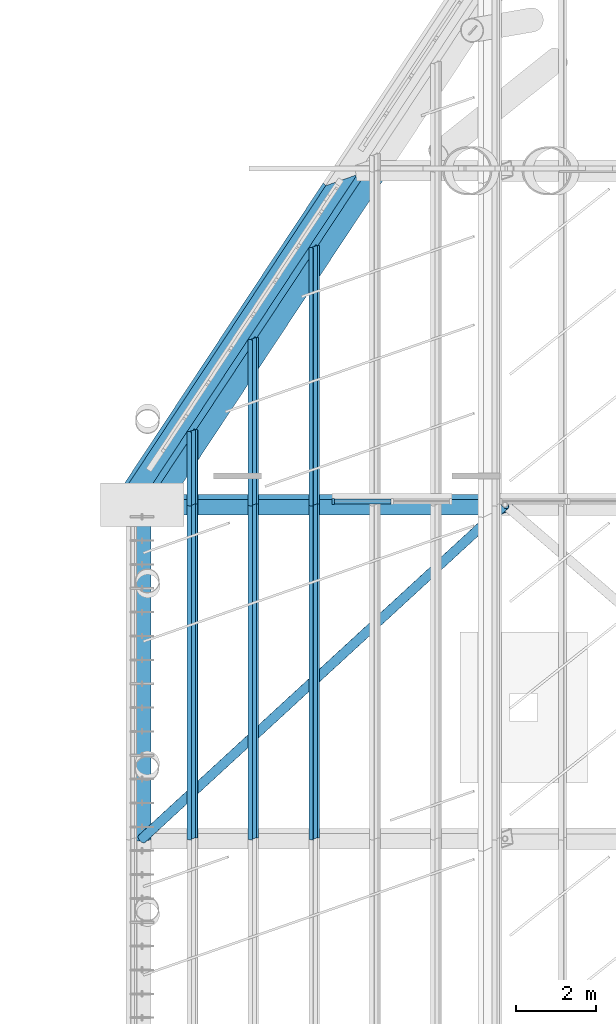
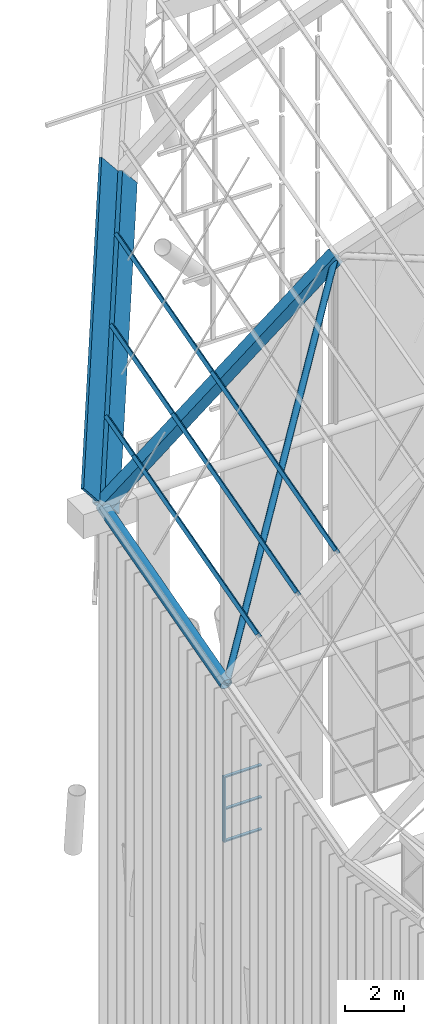
# One storey, part 51 of 126: 12 members, 3 beams, 1 element without a shape of its own.
"""IFC4 building model written with IfcOpenShell, lengths in metres."""

from ifc_helpers import new_model, si_unit, direction, frame, origin, origin_2d, place, context, subcontext, project, spatial, polyline, rectangle, hollow_circle, i_section, outline, extrude, material, material_profile, profile_set, type_object, element, aggregate, save


model = new_model("IFC4")

# Units and contexts
model_context = context("Model", 3, precision=1e-05, world=origin(), true_north=direction((0.0, 1.0)))
body_context = subcontext(model_context, "Body", "Model", "MODEL_VIEW")
ifc_project = project(units=[si_unit("LENGTHUNIT", "METRE"), si_unit("AREAUNIT", "SQUARE_METRE"), si_unit("VOLUMEUNIT", "CUBIC_METRE"), si_unit("PLANEANGLEUNIT", "RADIAN"), si_unit("MASSUNIT", "GRAM", prefix="KILO")], contexts=[model_context])

# Site, building, storey
site_placement = place(None, origin())
site = spatial("IfcSite", under=ifc_project, at=site_placement, CompositionType="ELEMENT")
building_placement = place(site_placement, origin())
building = spatial("IfcBuilding", under=site, at=building_placement, Name="Sava Quay Ferry Terminal", CompositionType="ELEMENT")
storey_placement = place(building_placement, frame((0.0, 0.0, 15.0)))
storey = spatial("IfcBuildingStorey", under=building, at=storey_placement, Name="L03", CompositionType="ELEMENT", Elevation=15.0)

# Beams
ifc_material_1 = material(Name="Steel S355", Category="steel")
ifc_material_profile_1 = material_profile(ifc_material_1, outline(polyline([(-0.199951171875, -0.300048828125), (0.199951171875, -0.300048828125), (0.199951171875, 0.300048828125), (-0.199951171875, 0.300048828125), (-0.199951171875, -0.300048828125)]), holes=[polyline([(-0.175048828125, -0.27490234375), (-0.175048828125, 0.27490234375), (0.175048828125, 0.27490234375), (0.175048828125, -0.27490234375), (-0.175048828125, -0.27490234375)])]), Name="Box 600x400x25 built-up")
ifc_profile_set_1 = profile_set([ifc_material_profile_1], Name="Steel S355")
beam_type_1 = type_object("IfcBeamType", Name="D folded rib Box 600x400x25", PredefinedType="BEAM", material=ifc_profile_set_1)
beam_1_placement = place(storey_placement, frame((42.0, 100.800048828125, 15.625), z_axis=(0.788010316968, 0.0, 0.615662034198), x_axis=(-0.129742161592, 0.977543008469, 0.166062151312)))
element("IfcBeam", 1, at=beam_1_placement, inside=storey, type_object=beam_type_1, Name="Departure hall folded rib R6 seg 1", PredefinedType="BEAM", context=body_context, shape_type="SweptSolid", body=[
    extrude(outline(polyline([(-0.199951171875, -0.300048828125), (0.199951171875, -0.300048828125), (0.199951171875, 0.300048828125), (-0.199951171875, 0.300048828125), (-0.199951171875, -0.300048828125)]), holes=[polyline([(-0.175048828125, -0.27490234375), (-0.175048828125, 0.27490234375), (0.175048828125, 0.27490234375), (0.175048828125, -0.27490234375), (-0.175048828125, -0.27490234375)])]), origin(), (0.0, 0.0, 1.0), 11.5859375),
])
ifc_material_2 = material(Name="Steel S355", Category="steel")
ifc_material_profile_2 = material_profile(ifc_material_2, hollow_circle(Radius=0.228515625, WallThickness=0.01611328125, at=origin_2d()), Name="CHS 457 x 16.0")
ifc_profile_set_2 = profile_set([ifc_material_profile_2], Name="Steel S355")
beam_type_2 = type_object("IfcBeamType", Name="Eave beam CHS 457x16", PredefinedType="BEAM", material=ifc_profile_set_2)
beam_2_placement = place(storey_placement, frame((42.0, 92.39990234375, 13.326904296875), z_axis=(0.0, 0.964555206992, 0.26388113359), x_axis=(-1.0, 0.0, 0.0)))
element("IfcBeam", 2, at=beam_2_placement, inside=storey, type_object=beam_type_2, Name="Departure hall eave beam L6", PredefinedType="BEAM", context=body_context, shape_type="SweptSolid", body=[
    extrude(hollow_circle(Radius=0.228515625, WallThickness=0.01611328125, at=origin_2d()), origin(), (0.0, 0.0, 1.0), 8.708740234375),
])

# Curtain wall, member
ifc_material_3 = material(Name="Aluminium and glass curtain wall, double low-e glazed", Category="aluminium")
curtain_wall_type = type_object("IfcCurtainWallType", Name="Curtain wall CW-G gable", PredefinedType="NOTDEFINED", material=ifc_material_3)
curtain_wall_placement = place(storey_placement, origin())
curtain_wall = element("IfcCurtainWall", 3, at=curtain_wall_placement, inside=storey, type_object=curtain_wall_type, Name="Curtain wall D-N L03 bay 11", PredefinedType="NOTDEFINED")
ifc_material_4 = material(Name="Aluminium EN AW-6063 T6", Category="aluminium")
ifc_material_profile_3 = material_profile(ifc_material_4, rectangle(XDim=0.14990234375, YDim=0.06005859375, at=origin_2d()), Name="Mullion 60x150 aluminium")
ifc_profile_set_3 = profile_set([ifc_material_profile_3], Name="Aluminium EN AW-6063 T6")
member_type_1 = type_object("IfcMemberType", Name="Mullion 60x150 aluminium", PredefinedType="MULLION", material=ifc_profile_set_3)
member_1_placement = place(storey_placement, frame((46.81005859375, 100.885009765625, 0.0), z_axis=(0.0, 0.0, 1.0), x_axis=(0.0, 1.0, 0.0)))
member_1 = element("IfcMember", 4, at=member_1_placement, type_object=member_type_1, Name="CW60 mullion 1", PredefinedType="MULLION", context=body_context, shape_type="SweptSolid", body=[
    extrude(rectangle(XDim=0.14990234375, YDim=0.06005859375, at=origin_2d()), origin(), (0.0, 0.0, 1.0), 2.699951171875),
])

# Beam
ifc_material_5 = material(Name="Steel S355", Category="steel")
ifc_material_profile_4 = material_profile(ifc_material_5, outline(polyline([(-0.22509765625, -0.60009765625), (0.22509765625, -0.60009765625), (0.22509765625, 0.60009765625), (-0.22509765625, 0.60009765625), (-0.22509765625, -0.60009765625)]), holes=[polyline([(-0.195068359375, -0.570068359375), (-0.195068359375, 0.570068359375), (0.195068359375, 0.570068359375), (0.195068359375, -0.570068359375), (-0.195068359375, -0.570068359375)])]), Name="Box 1200x450x30 built-up")
ifc_profile_set_4 = profile_set([ifc_material_profile_4], Name="Steel S355")
beam_type_3 = type_object("IfcBeamType", Name="Prow edge girder Box 1200x450x30", PredefinedType="BEAM", material=ifc_profile_set_4)
beam_3_placement = place(storey_placement, frame((42.1806640625, 100.86328125, 15.393798828125), z_axis=(0.460666958466, 0.696292552518, 0.550420416305), x_axis=(-0.65235631374, 0.686121423706, -0.321976135538)))
element("IfcBeam", 5, at=beam_3_placement, inside=storey, type_object=beam_type_3, Name="Departure hall prow edge girder L1", PredefinedType="BEAM", context=body_context, shape_type="SweptSolid", body=[
    extrude(outline(polyline([(-0.22509765625, -0.60009765625), (0.22509765625, -0.60009765625), (0.22509765625, 0.60009765625), (-0.22509765625, 0.60009765625), (-0.22509765625, -0.60009765625)]), holes=[polyline([(-0.195068359375, -0.570068359375), (-0.195068359375, 0.570068359375), (0.195068359375, 0.570068359375), (0.195068359375, -0.570068359375), (-0.195068359375, -0.570068359375)])]), origin(), (0.0, 0.0, 1.0), 12.063720703125),
])

# Members
ifc_material_6 = material(Name="Steel S355", Category="steel")
ifc_material_profile_5 = material_profile(ifc_material_6, hollow_circle(Radius=0.122314453125, WallThickness=0.008056640625, at=origin_2d()), Name="CHS 244.5 x 8.0")
ifc_profile_set_5 = profile_set([ifc_material_profile_5], Name="Steel S355")
member_type_2 = type_object("IfcMemberType", Name="Roof brace CHS 244.5x8", PredefinedType="BRACE", material=ifc_profile_set_5)
member_2_placement = place(storey_placement, frame((42.0, 92.39990234375, 13.326904296875), z_axis=(0.585846393038, 0.539020666522, 0.605178258719), x_axis=(-0.677085093418, 0.735904733149, 0.0)))
element("IfcMember", 6, at=member_2_placement, inside=storey, type_object=member_type_2, Name="Departure hall roof brace bay 6 panel 1", PredefinedType="BRACE", context=body_context, shape_type="SweptSolid", body=[
    extrude(hollow_circle(Radius=0.122314453125, WallThickness=0.008056640625, at=origin_2d()), origin(), (0.0, 0.0, 1.0), 15.583984375),
])
ifc_material_7 = material(Name="Steel S355", Category="steel")
ifc_material_profile_6 = material_profile(ifc_material_7, rectangle(XDim=0.10009765625, YDim=1.31005859375, at=origin_2d()), Name="Blade 100 x 1310")
ifc_profile_set_6 = profile_set([ifc_material_profile_6], Name="Steel S355")
member_type_3 = type_object("IfcMemberType", Name="Roof prow edge blade 100 x 1310", PredefinedType="USERDEFINED", material=ifc_profile_set_6)
member_3_placement = place(storey_placement, frame((41.425537109375, 100.598876953125, 16.3603515625), z_axis=(0.460672089896, 0.696300308613, 0.550406309753), x_axis=(-0.652359315497, 0.686116886586, -0.321979722073)))
element("IfcMember", 7, at=member_3_placement, inside=storey, type_object=member_type_3, Name="Departure hall prow edge blade L1", ObjectType="EDGE BLADE", PredefinedType="USERDEFINED", context=body_context, shape_type="SweptSolid", body=[
    extrude(rectangle(XDim=0.10009765625, YDim=1.31005859375, at=origin_2d()), origin(), (0.0, 0.0, 1.0), 12.063720703125),
])
ifc_material_8 = material(Name="Steel S355", Category="steel")
ifc_material_profile_7 = material_profile(ifc_material_8, i_section(OverallWidth=0.135009765625, OverallDepth=0.27001953125, WebThickness=0.006591796875, FlangeThickness=0.01025390625, at=origin_2d()), Name="IPE 270")
ifc_profile_set_7 = profile_set([ifc_material_profile_7], Name="Steel S355")
member_type_4 = type_object("IfcMemberType", Name="Roof purlin IPE 270", PredefinedType="PURLIN", material=ifc_profile_set_7)
for number, where, z_axis, x_axis, name in (
    (8, (43.269287109375, 92.39990234375, 14.883544921875), (0.0, 0.964562342049, 0.263855051686), (-0.798620025874, 0.158797355638, -0.580507927693), "Departure hall purlin bay 6 M0.1"),
    (9, (44.800537109375, 92.39990234375, 16.079833984375), (0.0, 0.964562342049, 0.263855051686), (-0.798620025874, 0.158797355638, -0.580507927693), "Departure hall purlin bay 6 M0.2"),
    (10, (46.331787109375, 92.39990234375, 17.27587890625), (0.0, 0.964555206992, 0.26388113359), (-0.798620025874, 0.158813052655, -0.580503633562), "Departure hall purlin bay 6 M0.3"),
):
    element("IfcMember", number, at=place(storey_placement, frame(where, z_axis=z_axis, x_axis=x_axis)), inside=storey, type_object=member_type_4, Name=name, PredefinedType="PURLIN", context=body_context, shape_type="SweptSolid", body=[
        extrude(i_section(OverallWidth=0.135009765625, OverallDepth=0.27001953125, WebThickness=0.006591796875, FlangeThickness=0.01025390625, at=origin_2d()), origin(), (0.0, 0.0, 1.0), 8.708740234375),
    ])
member_4_placement = place(storey_placement, frame((43.269287109375, 100.800048828125, 17.181396484375), z_axis=(0.0, 0.964554129317, 0.263885072745), x_axis=(-0.798620025874, 0.158815423379, -0.580502984979)))
element("IfcMember", 11, at=member_4_placement, inside=storey, type_object=member_type_4, Name="Departure hall purlin bay 7 M0.1", PredefinedType="PURLIN", context=body_context, shape_type="SweptSolid", body=[
    extrude(i_section(OverallWidth=0.135009765625, OverallDepth=0.27001953125, WebThickness=0.006591796875, FlangeThickness=0.01025390625, at=origin_2d()), origin(), (0.0, 0.0, 1.0), 1.937255859375),
])
member_5_placement = place(storey_placement, frame((44.800537109375, 100.800048828125, 18.377685546875), z_axis=(0.0, 0.964558255488, 0.26386999028), x_axis=(-0.798620025874, 0.158806346216, -0.580505468255)))
element("IfcMember", 12, at=member_5_placement, inside=storey, type_object=member_type_4, Name="Departure hall purlin bay 7 M0.2", PredefinedType="PURLIN", context=body_context, shape_type="SweptSolid", body=[
    extrude(i_section(OverallWidth=0.135009765625, OverallDepth=0.27001953125, WebThickness=0.006591796875, FlangeThickness=0.01025390625, at=origin_2d()), origin(), (0.0, 0.0, 1.0), 4.336669921875),
])
member_6_placement = place(storey_placement, frame((46.331787109375, 100.800048828125, 19.573974609375), z_axis=(0.0, 0.96455274083, 0.263890147897), x_axis=(-0.798620025874, 0.158818477786, -0.580502149338)))
element("IfcMember", 13, at=member_6_placement, inside=storey, type_object=member_type_4, Name="Departure hall purlin bay 7 M0.3", PredefinedType="PURLIN", context=body_context, shape_type="SweptSolid", body=[
    extrude(i_section(OverallWidth=0.135009765625, OverallDepth=0.27001953125, WebThickness=0.006591796875, FlangeThickness=0.01025390625, at=origin_2d()), origin(), (0.0, 0.0, 1.0), 6.736083984375),
])

# Member
ifc_material_9 = material(Name="Aluminium EN AW-6063 T6", Category="aluminium")
ifc_material_profile_8 = material_profile(ifc_material_9, rectangle(XDim=0.1201171875, YDim=0.050048828125, at=origin_2d()), Name="Transom 50x120 aluminium")
ifc_profile_set_8 = profile_set([ifc_material_profile_8], Name="Aluminium EN AW-6063 T6")
member_type_5 = type_object("IfcMemberType", Name="Transom 50x120 aluminium", PredefinedType="USERDEFINED", material=ifc_profile_set_8)
member_7_placement = place(storey_placement, frame((46.840087890625, 100.885009765625, 0.02490234375), z_axis=(1.0, 0.0, 0.0), x_axis=(0.0, 1.0, 0.0)))
member_7 = element("IfcMember", 14, at=member_7_placement, type_object=member_type_5, Name="CW60 transom 1.1", ObjectType="TRANSOM", PredefinedType="USERDEFINED", context=body_context, shape_type="SweptSolid", body=[
    extrude(rectangle(XDim=0.1201171875, YDim=0.050048828125, at=origin_2d()), origin(), (0.0, 0.0, 1.0), 1.419921875),
])

member_8_placement = place(storey_placement, frame((46.840087890625, 100.885009765625, 1.35009765625), z_axis=(1.0, 0.0, 0.0), x_axis=(0.0, 1.0, 0.0)))
member_8 = element("IfcMember", 15, at=member_8_placement, type_object=member_type_5, Name="CW60 transom 1.2", ObjectType="TRANSOM", PredefinedType="USERDEFINED", context=body_context, shape_type="SweptSolid", body=[
    extrude(rectangle(XDim=0.1201171875, YDim=0.050048828125, at=origin_2d()), origin(), (0.0, 0.0, 1.0), 1.419921875),
])

member_9_placement = place(storey_placement, frame((46.840087890625, 100.885009765625, 2.675048828125), z_axis=(1.0, 0.0, 0.0), x_axis=(0.0, 1.0, 0.0)))
member_9 = element("IfcMember", 16, at=member_9_placement, type_object=member_type_5, Name="CW60 transom 1.3", ObjectType="TRANSOM", PredefinedType="USERDEFINED", context=body_context, shape_type="SweptSolid", body=[
    extrude(rectangle(XDim=0.1201171875, YDim=0.050048828125, at=origin_2d()), origin(), (0.0, 0.0, 1.0), 1.419921875),
])

aggregate(curtain_wall, [member_1, member_7, member_8, member_9])

save(model, "model.ifc")
